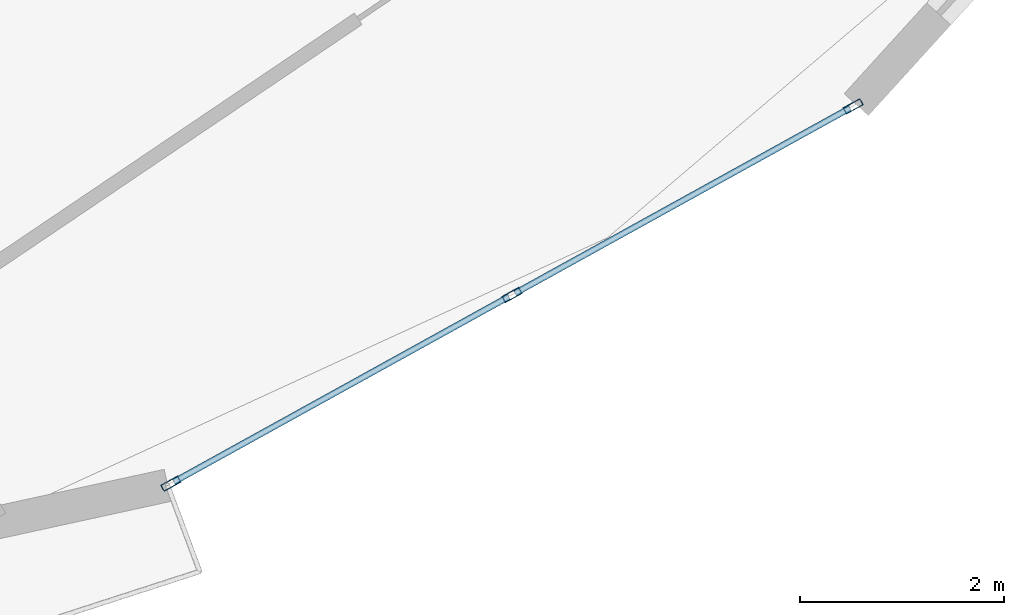
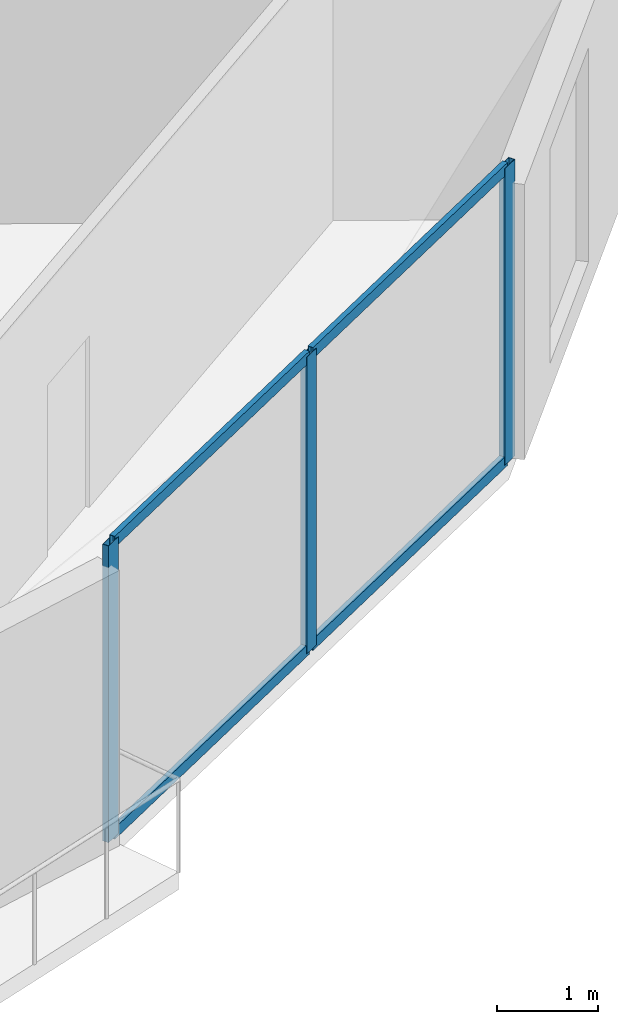
# One storey, part 8 of 23: 7 members, 1 element without a shape of its own.
"""IFC4 building model written with IfcOpenShell, lengths in metres."""

import ifcopenshell
import ifcopenshell.guid

model = None  # the IFC model being written
_history = None  # IfcOwnerHistory: only IFC2X3 demands one
_inside = {}  # id of a spatial element -> (the spatial element, [elements in it])
_under = {}  # id of a project, library or spatial element -> (it, [spatial elements below it])
_declared = {}  # id of a project -> (the project, [libraries it declares])
_typed = {}  # id of a type object -> (the type object, [elements of that type])
_made_of = {}  # id of a material, layer set ... -> (it, [elements and type objects made of it])


def new_model(schema):
    """Start an empty IFC model of exactly this schema.

    Asked for "IFC4X3", IfcOpenShell would pick the latest addendum, in which some entities
    have other attributes; the version numbers below select the first issue.
    IFC2X3 requires an IfcOwnerHistory on every rooted entity: one is made here for all.
    """
    global model, _history
    if schema == "IFC4X3":
        model = ifcopenshell.file(schema_version=(4, 3, 0, 0))
    else:
        model = ifcopenshell.file(schema=schema)
    _inside.clear()
    _under.clear()
    _declared.clear()
    _typed.clear()
    _made_of.clear()
    _history = None
    if model.schema == "IFC2X3":
        org = make("IfcOrganization", Name="unknown")
        user = make(
            "IfcPersonAndOrganization",
            ThePerson=make("IfcPerson", FamilyName="unknown"),
            TheOrganization=org,
        )
        app = make(
            "IfcApplication",
            ApplicationDeveloper=org,
            Version="unknown",
            ApplicationFullName="unknown",
            ApplicationIdentifier="unknown",
        )
        _history = make(
            "IfcOwnerHistory",
            OwningUser=user,
            OwningApplication=app,
            ChangeAction="ADDED",
            CreationDate=0,
        )
    return model


def make(cls, **values):
    """One entity of the class cls with the attributes given. An attribute that is None is left unset."""
    return model.create_entity(
        cls, **{name: value for name, value in values.items() if value is not None}
    )


def rooted(cls, **values):
    """An entity with a GlobalId (a new one), such as an element, a storey or a relation."""
    return make(cls, GlobalId=ifcopenshell.guid.new(), OwnerHistory=_history, **values)


def si_unit(unit_type, name, prefix=None):
    """IfcSIUnit, for example si_unit("LENGTHUNIT", "METRE", prefix="MILLI")."""
    return make("IfcSIUnit", UnitType=unit_type, Prefix=prefix, Name=name)


def assignment(units):
    """IfcUnitAssignment: the units of a project."""
    return None if units is None else make("IfcUnitAssignment", Units=units)


def point(xyz):
    """IfcCartesianPoint."""
    return None if xyz is None else make("IfcCartesianPoint", Coordinates=xyz)


def direction(xyz):
    """IfcDirection."""
    return None if xyz is None else make("IfcDirection", DirectionRatios=xyz)


def frame(location, z_axis=None, x_axis=None):
    """IfcAxis2Placement3D, a coordinate frame: its origin and axes. An axis left out is left unset."""
    return make(
        "IfcAxis2Placement3D",
        Location=point(location),
        Axis=direction(z_axis),
        RefDirection=direction(x_axis),
    )


def frame_2d(location, x_axis=None):
    """IfcAxis2Placement2D, a coordinate frame in the plane: its origin and x axis."""
    return make(
        "IfcAxis2Placement2D", Location=point(location), RefDirection=direction(x_axis)
    )


def origin():
    """The frame at (0, 0, 0) with its axes left unset."""
    return frame((0.0, 0.0, 0.0))


def origin_2d():
    """The frame at (0, 0) in the plane with its x axis left unset."""
    return frame_2d((0.0, 0.0))


def place(relative_to, where):
    """IfcLocalPlacement: puts the frame where relative to a parent placement (None: the world)."""
    return make(
        "IfcLocalPlacement", PlacementRelTo=relative_to, RelativePlacement=where
    )


def context(
    kind, dimensions, precision=None, world=None, true_north=None, identifier=None
):
    """IfcGeometricRepresentationContext, for example the 3D "Model" context."""
    return make(
        "IfcGeometricRepresentationContext",
        ContextIdentifier=identifier,
        ContextType=kind,
        CoordinateSpaceDimension=dimensions,
        Precision=precision,
        WorldCoordinateSystem=world,
        TrueNorth=true_north,
    )


def subcontext(parent, identifier, kind, view, scale=None):
    """IfcGeometricRepresentationSubContext, for example "Body" below "Model"."""
    return make(
        "IfcGeometricRepresentationSubContext",
        ContextIdentifier=identifier,
        ContextType=kind,
        ParentContext=parent,
        TargetScale=scale,
        TargetView=view,
    )


def project(units=None, contexts=None):
    """IfcProject with its units and contexts."""
    return rooted(
        "IfcProject",
        Name="project",
        RepresentationContexts=contexts,
        UnitsInContext=assignment(units),
    )


def spatial(cls, under=None, at=None, **own):
    """A site, building, storey or space (cls), placed at a placement, below another one or the project."""
    s = rooted(cls, ObjectPlacement=at, **own)
    if under is not None:
        _under.setdefault(under.id(), (under, []))[1].append(s)
    return s


def profile(cls, at=None, kind="AREA", **sizes):
    """A parametric profile (cls). Its sizes go by their IFC names, for example OverallWidth=200.0."""
    return make(cls, ProfileType=kind, Position=at, **sizes)


def hollow_rectangle(**sizes):
    """IfcRectangleHollowProfileDef."""
    return profile("IfcRectangleHollowProfileDef", **sizes)


def extrude(swept, where, along, depth):
    """IfcExtrudedAreaSolid: the profile swept, set in the frame where, extruded along a direction by depth."""
    return make(
        "IfcExtrudedAreaSolid",
        SweptArea=swept,
        Position=where,
        ExtrudedDirection=direction(along),
        Depth=depth,
    )


def shape(context_of_items, identifier, shape_type, items):
    """IfcShapeRepresentation: the items that make up one representation, for example the "Body"."""
    return make(
        "IfcShapeRepresentation",
        ContextOfItems=context_of_items,
        RepresentationIdentifier=identifier,
        RepresentationType=shape_type,
        Items=items,
    )


def source(mapping_origin, context_of_items, identifier, shape_type, items):
    """IfcRepresentationMap: a shape defined once, which mapped items show again and again."""
    return make(
        "IfcRepresentationMap",
        MappingOrigin=mapping_origin,
        MappedRepresentation=shape(context_of_items, identifier, shape_type, items),
    )


def transform(
    local_origin,
    x_axis=None,
    y_axis=None,
    z_axis=None,
    scale=None,
    scale2=None,
    scale3=None,
    uniform=True,
):
    """IfcCartesianTransformationOperator3D, or its non-uniform kind. x_axis, y_axis, z_axis: its Axis1, 2, 3."""
    if uniform:
        return make(
            "IfcCartesianTransformationOperator3D",
            Axis1=direction(x_axis),
            Axis2=direction(y_axis),
            LocalOrigin=point(local_origin),
            Scale=scale,
            Axis3=direction(z_axis),
        )
    return make(
        "IfcCartesianTransformationOperator3DnonUniform",
        Axis1=direction(x_axis),
        Axis2=direction(y_axis),
        LocalOrigin=point(local_origin),
        Scale=scale,
        Axis3=direction(z_axis),
        Scale2=scale2,
        Scale3=scale3,
    )


def mapped(mapping_source, mapping_target):
    """IfcMappedItem: shows the shape of a source again, moved by a transform."""
    return make(
        "IfcMappedItem", MappingSource=mapping_source, MappingTarget=mapping_target
    )


def material(Name=None, Category=None):
    """IfcMaterial."""
    return make("IfcMaterial", Name=Name, Category=Category)


def layer(
    of_material, thickness, ventilated=None, Name=None, Category=None, Priority=None
):
    """IfcMaterialLayer: one layer of a wall or slab, of a material (None: an air gap)."""
    return make(
        "IfcMaterialLayer",
        Material=of_material,
        LayerThickness=thickness,
        IsVentilated=ventilated,
        Name=Name,
        Category=Category,
        Priority=Priority,
    )


def layer_set(layers, Name=None):
    """IfcMaterialLayerSet."""
    return make("IfcMaterialLayerSet", MaterialLayers=layers, LayerSetName=Name)


def material_profile(
    of_material, cross_section, Name=None, Category=None, Priority=None
):
    """IfcMaterialProfile: a cross section and its material."""
    return make(
        "IfcMaterialProfile",
        Name=Name,
        Material=of_material,
        Profile=cross_section,
        Priority=Priority,
        Category=Category,
    )


def profile_set(profiles, Name=None, composite=None):
    """IfcMaterialProfileSet."""
    return make(
        "IfcMaterialProfileSet",
        Name=Name,
        MaterialProfiles=profiles,
        CompositeProfile=composite,
    )


def made_of(thing, what):
    """Note that an element or type object is made of a material, layer set ...; save() writes the relation."""
    if what is not None:
        _made_of.setdefault(what.id(), (what, []))[1].append(thing)
    return thing


def type_object(cls, material=None, **own):
    """A type object (cls), such as IfcWallType, which elements share."""
    return made_of(rooted(cls, **own), material)


def element(
    cls,
    number,
    at=None,
    inside=None,
    cuts=None,
    type_object=None,
    material=None,
    context=None,
    identifier="Body",
    shape_type=None,
    held_by="IfcProductDefinitionShape",
    body=None,
    shapes=None,
    **own,
):
    """One element of the class cls, such as IfcWall. Its Tag is "e" and its number.

    at: its placement. inside: the storey or other place that contains it. cuts: it is an
    opening in that element (IfcRelVoidsElement). A single representation is given by context,
    identifier, shape_type and body (its items); several are given by shapes. held_by: the class
    of the entity that holds the representations. save() writes the other relations.
    """
    e = rooted(cls, Tag="e%d" % number, ObjectPlacement=at, **own)
    if body is not None:
        shapes = [shape(context, identifier, shape_type, body)]
    if shapes is not None:
        e.Representation = make(held_by, Representations=shapes)
    if inside is not None:
        _inside.setdefault(inside.id(), (inside, []))[1].append(e)
    if cuts is not None:
        rooted(
            "IfcRelVoidsElement", RelatingBuildingElement=cuts, RelatedOpeningElement=e
        )
    if type_object is not None:
        _typed.setdefault(type_object.id(), (type_object, []))[1].append(e)
    return made_of(e, material)


def aggregate(whole, parts):
    """IfcRelAggregates: a whole, such as a stair, and the parts it consists of."""
    return rooted("IfcRelAggregates", RelatingObject=whole, RelatedObjects=parts)


def save(model, path):
    """Write the relations noted so far, then the file.

    IfcRelAggregates (storeys below a building ...), IfcRelContainedInSpatialStructure (elements
    in a storey), IfcRelDefinesByType, IfcRelAssociatesMaterial and IfcRelDeclares: one each for
    every whole, place, type object, material and project.
    """
    for whole, parts in _under.values():
        aggregate(whole, parts)
    for where, things in _inside.values():
        rooted(
            "IfcRelContainedInSpatialStructure",
            RelatedElements=things,
            RelatingStructure=where,
        )
    for kind, things in _typed.values():
        rooted("IfcRelDefinesByType", RelatedObjects=things, RelatingType=kind)
    for what, things in _made_of.values():
        rooted("IfcRelAssociatesMaterial", RelatedObjects=things, RelatingMaterial=what)
    for by, libraries in _declared.values():
        rooted("IfcRelDeclares", RelatingContext=by, RelatedDefinitions=libraries)
    model.write(path)


model = new_model("IFC4")

# Units and contexts
model_context = context("Model", 3, precision=1e-05, world=origin(), true_north=direction((0.0, 1.0)))
body_context = subcontext(model_context, "Body", "Model", "MODEL_VIEW")
ifc_project = project(units=[si_unit("LENGTHUNIT", "METRE"), si_unit("AREAUNIT", "SQUARE_METRE"), si_unit("VOLUMEUNIT", "CUBIC_METRE"), si_unit("PLANEANGLEUNIT", "RADIAN"), si_unit("MASSUNIT", "GRAM", prefix="KILO")], contexts=[model_context])

# Site, building, storey
site_placement = place(None, origin())
site = spatial("IfcSite", under=ifc_project, at=site_placement, CompositionType="ELEMENT")
building_placement = place(site_placement, origin())
building = spatial("IfcBuilding", under=site, at=building_placement, Name="Solvirekh Grand Hotel", CompositionType="ELEMENT")
storey_placement = place(building_placement, frame((0.0, 0.0, 46.39990234375)))
storey = spatial("IfcBuildingStorey", under=building, at=storey_placement, Name="L10", CompositionType="ELEMENT", Elevation=46.39990234375)

# Curtain wall, members
ifc_material = material(Name="Anodized Bronze Aluminium 6063-T6", Category="aluminium")
ifc_layer = layer(ifc_material, 0.18994140625)
ifc_layer_set = layer_set([ifc_layer], Name="Anodized Bronze Aluminium 6063-T6")
curtain_wall_type = type_object("IfcCurtainWallType", Name="CW_Sys2_LowZoneFlushBronzeCW", PredefinedType="NOTDEFINED", material=ifc_layer_set)
curtain_wall_placement = place(storey_placement, origin())
curtain_wall = element("IfcCurtainWall", 1, at=curtain_wall_placement, inside=storey, type_object=curtain_wall_type, Name="L10 unitised bronze-glass curtain wall CW-L10-C18", PredefinedType="NOTDEFINED")
ifc_material_profile_1 = material_profile(ifc_material, hollow_rectangle(XDim=0.070068359375, YDim=0.18994140625, WallThickness=0.0048828125, at=origin_2d()), Name="ALU RHS 190X70X5")
ifc_profile_set_1 = profile_set([ifc_material_profile_1], Name="Anodized Bronze Aluminium 6063-T6")
member_type_1 = type_object("IfcMemberType", Name="CWMullion_Sys2", PredefinedType="MULLION", material=ifc_profile_set_1)
shared_shape_1 = source(origin(), body_context, "Body", "SweptSolid", [
    extrude(hollow_rectangle(XDim=0.070068359375, YDim=0.18994140625, WallThickness=0.0048828125, at=origin_2d()), origin(), (0.0, 0.0, 1.0), 3.60009765625),
])
member_1_placement = place(storey_placement, frame((13.633544921875, -20.319091796875, 0.0), z_axis=(0.0, 0.0, 1.0), x_axis=(-0.483790752131, 0.875183699661, 0.0)))
member_1 = element("IfcMember", 2, at=member_1_placement, type_object=member_type_1, Name="U02 mullion 1", PredefinedType="MULLION", context=body_context, shape_type="MappedRepresentation", body=[
    mapped(shared_shape_1, transform((0.0, 0.0, 0.0), x_axis=(1.0, 0.0, 0.0), y_axis=(0.0, 1.0, 0.0), z_axis=(0.0, 0.0, 1.0), scale=1.0)),
])
member_2_placement = place(storey_placement, frame((16.97509765625, -18.471923828125, 0.0), z_axis=(0.0, 0.0, 1.0), x_axis=(-0.483790752131, 0.875183699661, 0.0)))
member_2 = element("IfcMember", 3, at=member_2_placement, type_object=member_type_1, Name="U02 mullion 2", PredefinedType="MULLION", context=body_context, shape_type="MappedRepresentation", body=[
    mapped(shared_shape_1, transform((0.0, 0.0, 0.0), x_axis=(1.0, 0.0, 0.0), y_axis=(0.0, 1.0, 0.0), z_axis=(0.0, 0.0, 1.0), scale=1.0)),
])
member_3_placement = place(storey_placement, frame((20.31640625, -16.625, 0.0), z_axis=(0.0, 0.0, 1.0), x_axis=(-0.483790752131, 0.875183699661, 0.0)))
member_3 = element("IfcMember", 4, at=member_3_placement, type_object=member_type_1, Name="U02 mullion 3", PredefinedType="MULLION", context=body_context, shape_type="MappedRepresentation", body=[
    mapped(shared_shape_1, transform((0.0, 0.0, 0.0), x_axis=(1.0, 0.0, 0.0), y_axis=(0.0, 1.0, 0.0), z_axis=(0.0, 0.0, 1.0), scale=1.0)),
])
ifc_material_profile_2 = material_profile(ifc_material, hollow_rectangle(XDim=0.06005859375, YDim=0.135009765625, WallThickness=0.00390625, at=origin_2d()), Name="ALU RHS 135X60X4")
ifc_profile_set_2 = profile_set([ifc_material_profile_2], Name="Anodized Bronze Aluminium 6063-T6")
member_type_2 = type_object("IfcMemberType", Name="CWTransom_Sys2", PredefinedType="USERDEFINED", material=ifc_profile_set_2)
shared_shape_2 = source(origin(), body_context, "Body", "SweptSolid", [
    extrude(hollow_rectangle(XDim=0.06005859375, YDim=0.135009765625, WallThickness=0.00390625, at=origin_2d()), origin(), (0.0, 0.0, 1.0), 3.747802734375),
])
member_4_placement = place(storey_placement, frame((13.664306640625, -20.30224609375, 0.030029296875), z_axis=(0.87517548732, 0.483805608063, 0.0), x_axis=(-0.483805608063, 0.87517548732, 0.0)))
member_4 = element("IfcMember", 5, at=member_4_placement, type_object=member_type_2, Name="U02 transom 1.1", ObjectType="TRANSOM", PredefinedType="USERDEFINED", context=body_context, shape_type="MappedRepresentation", body=[
    mapped(shared_shape_2, transform((0.0, 0.0, 0.0), x_axis=(1.0, 0.0, 0.0), y_axis=(0.0, 1.0, 0.0), z_axis=(0.0, 0.0, 1.0), scale=1.0)),
])
member_5_placement = place(storey_placement, frame((13.664306640625, -20.30224609375, 3.570068359375), z_axis=(0.87517548732, 0.483805608063, 0.0), x_axis=(-0.483805608063, 0.87517548732, 0.0)))
member_5 = element("IfcMember", 6, at=member_5_placement, type_object=member_type_2, Name="U02 transom 1.2", ObjectType="TRANSOM", PredefinedType="USERDEFINED", context=body_context, shape_type="MappedRepresentation", body=[
    mapped(shared_shape_2, transform((0.0, 0.0, 0.0), x_axis=(1.0, 0.0, 0.0), y_axis=(0.0, 1.0, 0.0), z_axis=(0.0, 0.0, 1.0), scale=1.0)),
])
member_6_placement = place(storey_placement, frame((17.005615234375, -18.455078125, 0.030029296875), z_axis=(0.87517548732, 0.483805608063, 0.0), x_axis=(-0.483805608063, 0.87517548732, 0.0)))
member_6 = element("IfcMember", 7, at=member_6_placement, type_object=member_type_2, Name="U02 transom 2.1", ObjectType="TRANSOM", PredefinedType="USERDEFINED", context=body_context, shape_type="MappedRepresentation", body=[
    mapped(shared_shape_2, transform((0.0, 0.0, 0.0), x_axis=(1.0, 0.0, 0.0), y_axis=(0.0, 1.0, 0.0), z_axis=(0.0, 0.0, 1.0), scale=1.0)),
])
member_7_placement = place(storey_placement, frame((17.005615234375, -18.455078125, 3.570068359375), z_axis=(0.87517548732, 0.483805608063, 0.0), x_axis=(-0.483805608063, 0.87517548732, 0.0)))
member_7 = element("IfcMember", 8, at=member_7_placement, type_object=member_type_2, Name="U02 transom 2.2", ObjectType="TRANSOM", PredefinedType="USERDEFINED", context=body_context, shape_type="MappedRepresentation", body=[
    mapped(shared_shape_2, transform((0.0, 0.0, 0.0), x_axis=(1.0, 0.0, 0.0), y_axis=(0.0, 1.0, 0.0), z_axis=(0.0, 0.0, 1.0), scale=1.0)),
])
aggregate(curtain_wall, [member_1, member_2, member_3, member_4, member_5, member_6, member_7])

save(model, "model.ifc")
